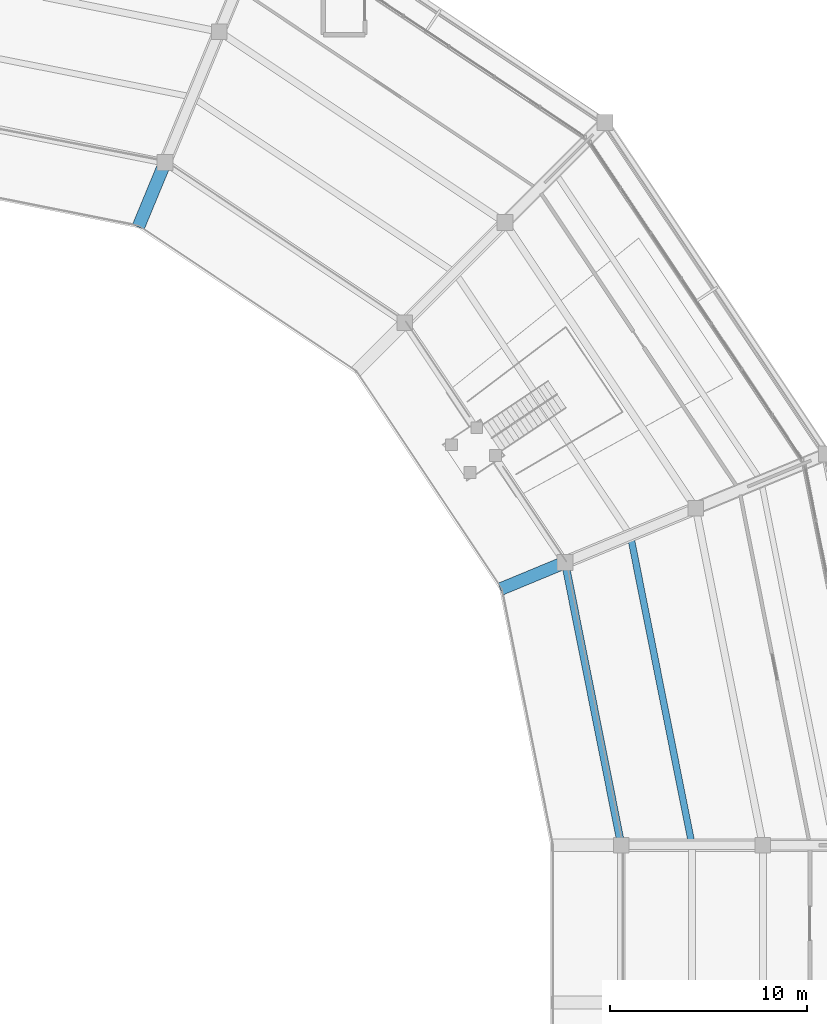
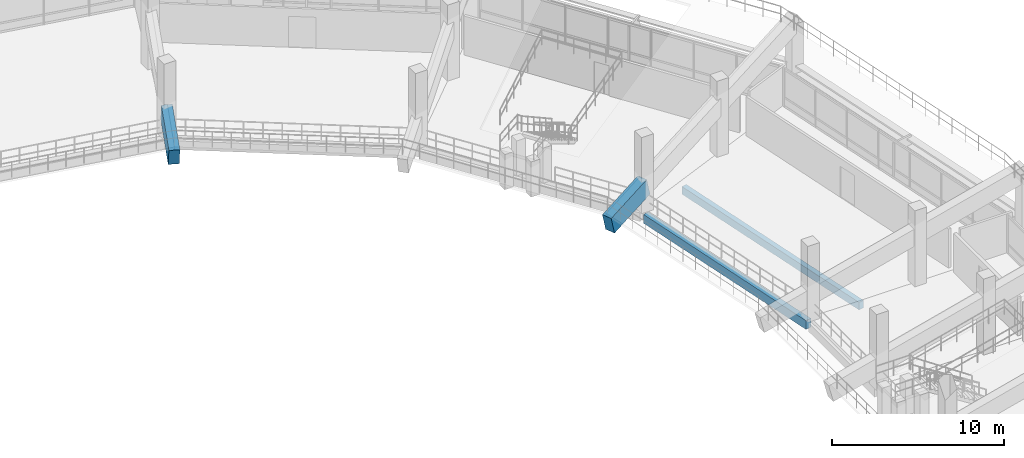
# One storey, part 35 of 96: 4 beams.
"""IFC4 building model written with IfcOpenShell, lengths in metres."""

import ifcopenshell
import ifcopenshell.guid

model = None  # the IFC model being written
_history = None  # IfcOwnerHistory: only IFC2X3 demands one
_inside = {}  # id of a spatial element -> (the spatial element, [elements in it])
_under = {}  # id of a project, library or spatial element -> (it, [spatial elements below it])
_declared = {}  # id of a project -> (the project, [libraries it declares])
_typed = {}  # id of a type object -> (the type object, [elements of that type])
_made_of = {}  # id of a material, layer set ... -> (it, [elements and type objects made of it])


def new_model(schema):
    """Start an empty IFC model of exactly this schema.

    Asked for "IFC4X3", IfcOpenShell would pick the latest addendum, in which some entities
    have other attributes; the version numbers below select the first issue.
    IFC2X3 requires an IfcOwnerHistory on every rooted entity: one is made here for all.
    """
    global model, _history
    if schema == "IFC4X3":
        model = ifcopenshell.file(schema_version=(4, 3, 0, 0))
    else:
        model = ifcopenshell.file(schema=schema)
    _inside.clear()
    _under.clear()
    _declared.clear()
    _typed.clear()
    _made_of.clear()
    _history = None
    if model.schema == "IFC2X3":
        org = make("IfcOrganization", Name="unknown")
        user = make(
            "IfcPersonAndOrganization",
            ThePerson=make("IfcPerson", FamilyName="unknown"),
            TheOrganization=org,
        )
        app = make(
            "IfcApplication",
            ApplicationDeveloper=org,
            Version="unknown",
            ApplicationFullName="unknown",
            ApplicationIdentifier="unknown",
        )
        _history = make(
            "IfcOwnerHistory",
            OwningUser=user,
            OwningApplication=app,
            ChangeAction="ADDED",
            CreationDate=0,
        )
    return model


def make(cls, **values):
    """One entity of the class cls with the attributes given. An attribute that is None is left unset."""
    return model.create_entity(
        cls, **{name: value for name, value in values.items() if value is not None}
    )


def rooted(cls, **values):
    """An entity with a GlobalId (a new one), such as an element, a storey or a relation."""
    return make(cls, GlobalId=ifcopenshell.guid.new(), OwnerHistory=_history, **values)


def si_unit(unit_type, name, prefix=None):
    """IfcSIUnit, for example si_unit("LENGTHUNIT", "METRE", prefix="MILLI")."""
    return make("IfcSIUnit", UnitType=unit_type, Prefix=prefix, Name=name)


def assignment(units):
    """IfcUnitAssignment: the units of a project."""
    return None if units is None else make("IfcUnitAssignment", Units=units)


def point(xyz):
    """IfcCartesianPoint."""
    return None if xyz is None else make("IfcCartesianPoint", Coordinates=xyz)


def direction(xyz):
    """IfcDirection."""
    return None if xyz is None else make("IfcDirection", DirectionRatios=xyz)


def frame(location, z_axis=None, x_axis=None):
    """IfcAxis2Placement3D, a coordinate frame: its origin and axes. An axis left out is left unset."""
    return make(
        "IfcAxis2Placement3D",
        Location=point(location),
        Axis=direction(z_axis),
        RefDirection=direction(x_axis),
    )


def frame_2d(location, x_axis=None):
    """IfcAxis2Placement2D, a coordinate frame in the plane: its origin and x axis."""
    return make(
        "IfcAxis2Placement2D", Location=point(location), RefDirection=direction(x_axis)
    )


def origin():
    """The frame at (0, 0, 0) with its axes left unset."""
    return frame((0.0, 0.0, 0.0))


def origin_2d():
    """The frame at (0, 0) in the plane with its x axis left unset."""
    return frame_2d((0.0, 0.0))


def place(relative_to, where):
    """IfcLocalPlacement: puts the frame where relative to a parent placement (None: the world)."""
    return make(
        "IfcLocalPlacement", PlacementRelTo=relative_to, RelativePlacement=where
    )


def context(
    kind, dimensions, precision=None, world=None, true_north=None, identifier=None
):
    """IfcGeometricRepresentationContext, for example the 3D "Model" context."""
    return make(
        "IfcGeometricRepresentationContext",
        ContextIdentifier=identifier,
        ContextType=kind,
        CoordinateSpaceDimension=dimensions,
        Precision=precision,
        WorldCoordinateSystem=world,
        TrueNorth=true_north,
    )


def subcontext(parent, identifier, kind, view, scale=None):
    """IfcGeometricRepresentationSubContext, for example "Body" below "Model"."""
    return make(
        "IfcGeometricRepresentationSubContext",
        ContextIdentifier=identifier,
        ContextType=kind,
        ParentContext=parent,
        TargetScale=scale,
        TargetView=view,
    )


def project(units=None, contexts=None):
    """IfcProject with its units and contexts."""
    return rooted(
        "IfcProject",
        Name="project",
        RepresentationContexts=contexts,
        UnitsInContext=assignment(units),
    )


def spatial(cls, under=None, at=None, **own):
    """A site, building, storey or space (cls), placed at a placement, below another one or the project."""
    s = rooted(cls, ObjectPlacement=at, **own)
    if under is not None:
        _under.setdefault(under.id(), (under, []))[1].append(s)
    return s


def profile(cls, at=None, kind="AREA", **sizes):
    """A parametric profile (cls). Its sizes go by their IFC names, for example OverallWidth=200.0."""
    return make(cls, ProfileType=kind, Position=at, **sizes)


def rectangle(**sizes):
    """IfcRectangleProfileDef."""
    return profile("IfcRectangleProfileDef", **sizes)


def extrude(swept, where, along, depth):
    """IfcExtrudedAreaSolid: the profile swept, set in the frame where, extruded along a direction by depth."""
    return make(
        "IfcExtrudedAreaSolid",
        SweptArea=swept,
        Position=where,
        ExtrudedDirection=direction(along),
        Depth=depth,
    )


def shape(context_of_items, identifier, shape_type, items):
    """IfcShapeRepresentation: the items that make up one representation, for example the "Body"."""
    return make(
        "IfcShapeRepresentation",
        ContextOfItems=context_of_items,
        RepresentationIdentifier=identifier,
        RepresentationType=shape_type,
        Items=items,
    )


def material(Name=None, Category=None):
    """IfcMaterial."""
    return make("IfcMaterial", Name=Name, Category=Category)


def material_profile(
    of_material, cross_section, Name=None, Category=None, Priority=None
):
    """IfcMaterialProfile: a cross section and its material."""
    return make(
        "IfcMaterialProfile",
        Name=Name,
        Material=of_material,
        Profile=cross_section,
        Priority=Priority,
        Category=Category,
    )


def profile_set(profiles, Name=None, composite=None):
    """IfcMaterialProfileSet."""
    return make(
        "IfcMaterialProfileSet",
        Name=Name,
        MaterialProfiles=profiles,
        CompositeProfile=composite,
    )


def made_of(thing, what):
    """Note that an element or type object is made of a material, layer set ...; save() writes the relation."""
    if what is not None:
        _made_of.setdefault(what.id(), (what, []))[1].append(thing)
    return thing


def type_object(cls, material=None, **own):
    """A type object (cls), such as IfcWallType, which elements share."""
    return made_of(rooted(cls, **own), material)


def element(
    cls,
    number,
    at=None,
    inside=None,
    cuts=None,
    type_object=None,
    material=None,
    context=None,
    identifier="Body",
    shape_type=None,
    held_by="IfcProductDefinitionShape",
    body=None,
    shapes=None,
    **own,
):
    """One element of the class cls, such as IfcWall. Its Tag is "e" and its number.

    at: its placement. inside: the storey or other place that contains it. cuts: it is an
    opening in that element (IfcRelVoidsElement). A single representation is given by context,
    identifier, shape_type and body (its items); several are given by shapes. held_by: the class
    of the entity that holds the representations. save() writes the other relations.
    """
    e = rooted(cls, Tag="e%d" % number, ObjectPlacement=at, **own)
    if body is not None:
        shapes = [shape(context, identifier, shape_type, body)]
    if shapes is not None:
        e.Representation = make(held_by, Representations=shapes)
    if inside is not None:
        _inside.setdefault(inside.id(), (inside, []))[1].append(e)
    if cuts is not None:
        rooted(
            "IfcRelVoidsElement", RelatingBuildingElement=cuts, RelatedOpeningElement=e
        )
    if type_object is not None:
        _typed.setdefault(type_object.id(), (type_object, []))[1].append(e)
    return made_of(e, material)


def aggregate(whole, parts):
    """IfcRelAggregates: a whole, such as a stair, and the parts it consists of."""
    return rooted("IfcRelAggregates", RelatingObject=whole, RelatedObjects=parts)


def save(model, path):
    """Write the relations noted so far, then the file.

    IfcRelAggregates (storeys below a building ...), IfcRelContainedInSpatialStructure (elements
    in a storey), IfcRelDefinesByType, IfcRelAssociatesMaterial and IfcRelDeclares: one each for
    every whole, place, type object, material and project.
    """
    for whole, parts in _under.values():
        aggregate(whole, parts)
    for where, things in _inside.values():
        rooted(
            "IfcRelContainedInSpatialStructure",
            RelatedElements=things,
            RelatingStructure=where,
        )
    for kind, things in _typed.values():
        rooted("IfcRelDefinesByType", RelatedObjects=things, RelatingType=kind)
    for what, things in _made_of.values():
        rooted("IfcRelAssociatesMaterial", RelatedObjects=things, RelatingMaterial=what)
    for by, libraries in _declared.values():
        rooted("IfcRelDeclares", RelatingContext=by, RelatedDefinitions=libraries)
    model.write(path)


model = new_model("IFC4")

# Units and contexts
model_context = context("Model", 3, precision=1e-05, world=origin(), true_north=direction((0.0, 1.0)))
body_context = subcontext(model_context, "Body", "Model", "MODEL_VIEW")
ifc_project = project(units=[si_unit("LENGTHUNIT", "METRE"), si_unit("AREAUNIT", "SQUARE_METRE"), si_unit("VOLUMEUNIT", "CUBIC_METRE"), si_unit("PLANEANGLEUNIT", "RADIAN"), si_unit("MASSUNIT", "GRAM", prefix="KILO")], contexts=[model_context])

# Site, building, storey
site_placement = place(None, origin())
site = spatial("IfcSite", under=ifc_project, at=site_placement, CompositionType="ELEMENT")
building_placement = place(site_placement, origin())
building = spatial("IfcBuilding", under=site, at=building_placement, Name="Candeia Ridge Stadium", CompositionType="ELEMENT")
storey_placement = place(building_placement, frame((0.0, 0.0, 21.60009765625)))
storey = spatial("IfcBuildingStorey", under=building, at=storey_placement, Name="L04", CompositionType="ELEMENT", Elevation=21.60009765625)

# Beams
ifc_material_1 = material(Name="Concrete C40/50", Category="concrete")
ifc_material_profile_1 = material_profile(ifc_material_1, rectangle(XDim=0.340087890625, YDim=0.5400390625, at=origin_2d()), Name="RC340x540", Category="concrete")
ifc_profile_set_1 = profile_set([ifc_material_profile_1], Name="Concrete C40/50")
beam_type_1 = type_object("IfcBeamType", Name="Floor Joist RC340x540", PredefinedType="JOIST", material=ifc_profile_set_1)
beam_1_placement = place(storey_placement, frame((182.15673828125, 95.2177734375, -0.530029296875), z_axis=(-0.195091809076, 0.980784984607, 0.0), x_axis=(-0.980784984607, -0.195091809076, 0.0)))
element("IfcBeam", 1, at=beam_1_placement, inside=storey, type_object=beam_type_1, Name="Concourse secondary joist BM-L04-0945", PredefinedType="JOIST", context=body_context, shape_type="SweptSolid", body=[
    extrude(rectangle(XDim=0.340087890625, YDim=0.5400390625, at=origin_2d()), origin(), (0.0, 0.0, 1.0), 15.63134765625),
])
ifc_material_profile_2 = material_profile(ifc_material_1, rectangle(XDim=0.3798828125, YDim=0.6201171875, at=origin_2d()), Name="RC380x620", Category="concrete")
ifc_profile_set_2 = profile_set([ifc_material_profile_2], Name="Concrete C40/50")
beam_type_2 = type_object("IfcBeamType", Name="Frame Girder RC380x620", PredefinedType="BEAM", material=ifc_profile_set_2)
beam_2_placement = place(storey_placement, frame((178.56884765625, 95.156982421875, -0.570068359375), z_axis=(-0.195098555341, 0.980783642657, 0.0), x_axis=(-0.980783642657, -0.195098555341, 0.0)))
element("IfcBeam", 2, at=beam_2_placement, inside=storey, type_object=beam_type_2, Name="Bowl inner ring girder BM-L04-0942", PredefinedType="BEAM", context=body_context, shape_type="SweptSolid", body=[
    extrude(rectangle(XDim=0.3798828125, YDim=0.6201171875, at=origin_2d()), origin(), (0.0, 0.0, 1.0), 14.350830078125),
])
ifc_material_2 = material(Name="Concrete C45/55", Category="concrete")
ifc_material_profile_3 = material_profile(ifc_material_2, rectangle(XDim=0.64990234375, YDim=1.25, at=origin_2d()), Name="RC650x1250", Category="concrete")
ifc_profile_set_3 = profile_set([ifc_material_profile_3], Name="Concrete C45/55")
beam_type_3 = type_object("IfcBeamType", Name="Stand Raker Beam RC650x1250", PredefinedType="USERDEFINED", material=ifc_profile_set_3)
for number, where, z_axis, x_axis, name in (
    (3, (172.5966796875, 108.087890625, 0.78759765625), (0.894388315816, 0.37044888349, 0.250673423506), (-0.382666779591, 0.92388643014, 0.0), "Stand T3 cantilever raker beam 34"),
    (4, (154.087890625, 126.5966796875, 0.78759765625), (0.37044888349, 0.894388315816, 0.250673423506), (-0.92388643014, 0.382666779591, 0.0), "Stand T3 cantilever raker beam 36"),
):
    element("IfcBeam", number, at=place(storey_placement, frame(where, z_axis=z_axis, x_axis=x_axis)), inside=storey, type_object=beam_type_3, Name=name, ObjectType="RAKER", PredefinedType="USERDEFINED", context=body_context, shape_type="SweptSolid", body=[
        extrude(rectangle(XDim=0.64990234375, YDim=1.25, at=origin_2d()), origin(), (0.0, 0.0, 1.0), 3.511962890625),
    ])

save(model, "model.ifc")
